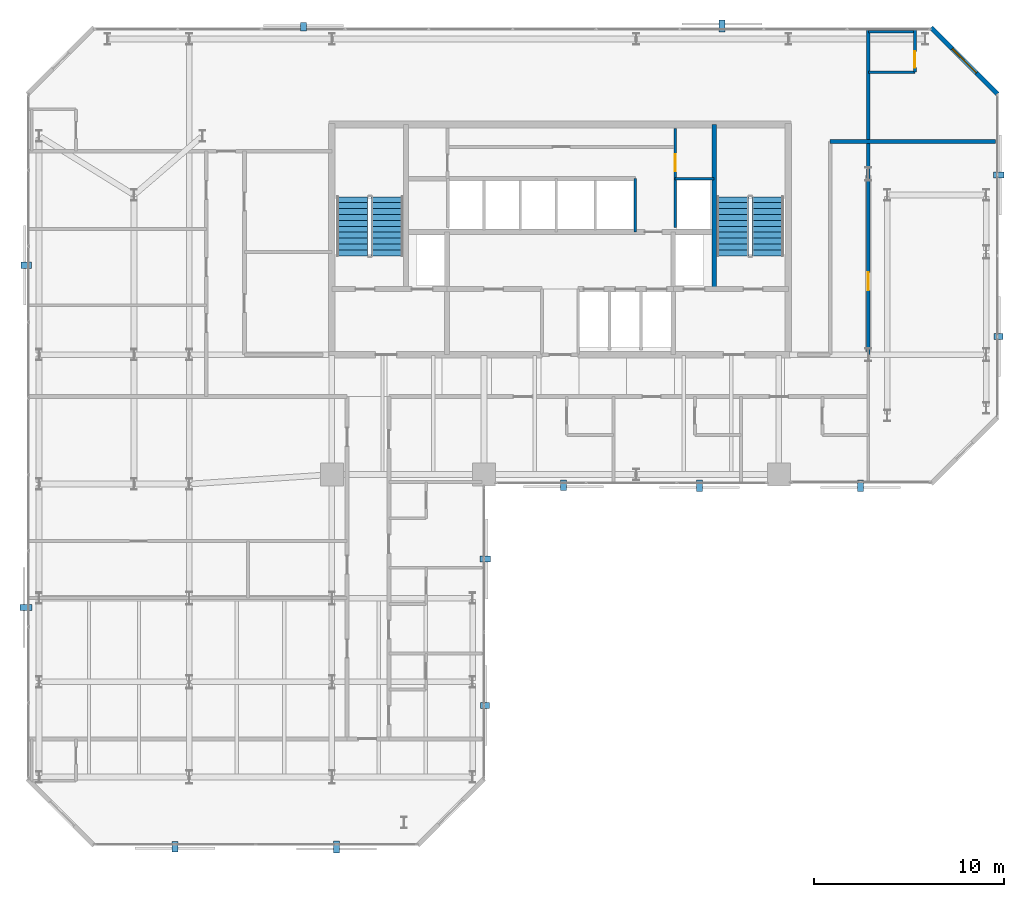
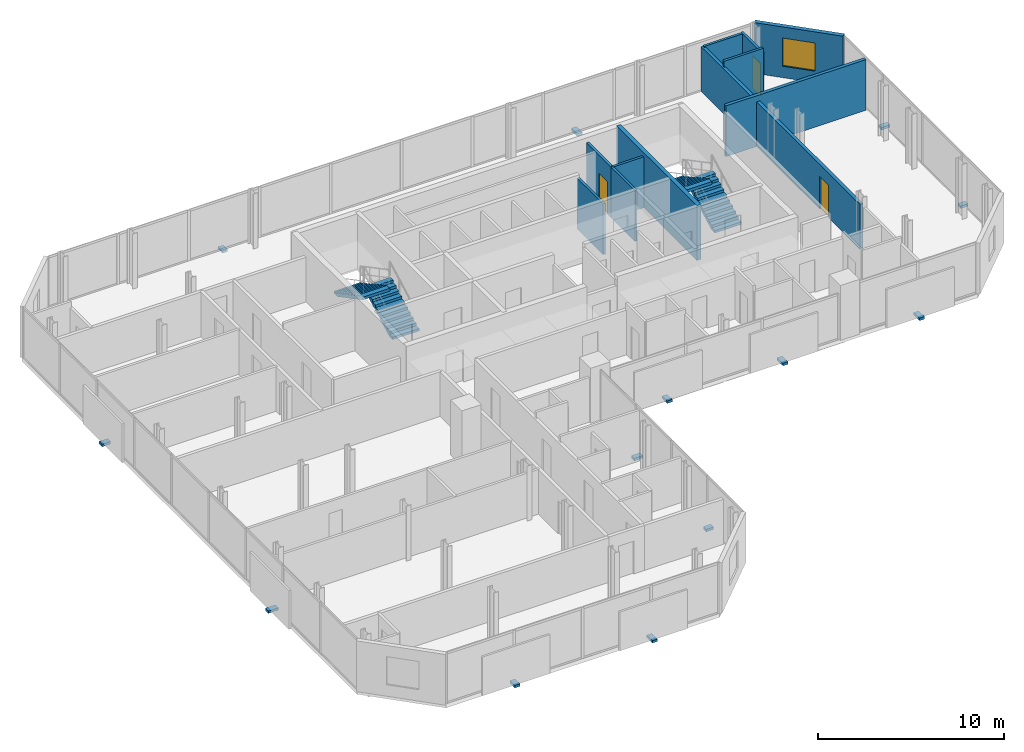
# One storey, part 30 of 32: 13 discrete accessories, 11 walls, 4 stair flights, 3 doors, 1 window, 4 openings, 2 elements without a shape of their own.
"""IFC4 building model written with IfcOpenShell, lengths in metres."""

from ifc_helpers import new_model, si_unit, direction, frame, frame_2d, origin, origin_2d, place, context, subcontext, project, spatial, polyline, rectangle, outline, extrude, material, layer, layer_set, type_object, element, fill, aggregate, save


model = new_model("IFC4")

# Units and contexts
model_context = context("Model", 3, precision=1e-05, world=origin(), true_north=direction((0.0, 1.0)))
body_context = subcontext(model_context, "Body", "Model", "MODEL_VIEW")
ifc_project = project(units=[si_unit("LENGTHUNIT", "METRE"), si_unit("AREAUNIT", "SQUARE_METRE"), si_unit("VOLUMEUNIT", "CUBIC_METRE"), si_unit("PLANEANGLEUNIT", "RADIAN"), si_unit("MASSUNIT", "GRAM", prefix="KILO")], contexts=[model_context])

# Site, building, storey
site_placement = place(None, origin())
site = spatial("IfcSite", under=ifc_project, at=site_placement, CompositionType="ELEMENT")
building_placement = place(site_placement, origin())
building = spatial("IfcBuilding", under=site, at=building_placement, Name="Catumbela Crestline Tower", CompositionType="ELEMENT")
storey_placement = place(building_placement, frame((0.0, 0.0, 136.8)))
storey = spatial("IfcBuildingStorey", under=building, at=storey_placement, Name="L35", CompositionType="ELEMENT", Elevation=136.8)

# Walls
ifc_material_1 = material(Name="Concrete C50/60", Category="concrete")
ifc_layer_1 = layer(ifc_material_1, 0.25, Name="Concrete C50/60")
ifc_layer_set_1 = layer_set([ifc_layer_1], Name="Concrete C50/60")
wall_type_1 = type_object("IfcWallType", Name="CW-250D", PredefinedType="SHEAR", material=ifc_layer_set_1)
wall_1_placement = place(storey_placement, frame((36.1, 34.25, 0.0), z_axis=(0.0, 0.0, 1.0), x_axis=(0.0, 1.0, 0.0)))
element("IfcWall", 1, at=wall_1_placement, inside=storey, type_object=wall_type_1, Name="L35 Structural Core Shear Wall EWEB", PredefinedType="SHEAR", context=body_context, shape_type="SweptSolid", body=[
    extrude(rectangle(XDim=8.65, YDim=0.25, at=frame_2d((4.325, 0.0))), origin(), (0.0, 0.0, 1.0), 3.6),
])
ifc_material_2 = material(Name="Acoustic gypsum and mineral-wool partition")
ifc_layer_2 = layer(ifc_material_2, 0.2, Name="Acoustic gypsum and mineral-wool partition")
ifc_layer_set_2 = layer_set([ifc_layer_2], Name="Acoustic gypsum and mineral-wool partition")
wall_type_2 = type_object("IfcWallType", Name="WC-200", PredefinedType="PARTITIONING", material=ifc_layer_set_2)
wall_2_placement = place(storey_placement, frame((42.2, 42.0, 0.0), z_axis=(0.0, 0.0, 1.0), x_axis=(1.0, 0.0, 0.0)))
element("IfcWall", 2, at=wall_2_placement, inside=storey, type_object=wall_type_2, Name="L35 Interior Partition PW-L35-Z2CW-E3", PredefinedType="PARTITIONING", context=body_context, shape_type="SweptSolid", body=[
    extrude(rectangle(XDim=8.7, YDim=0.2, at=frame_2d((4.35, 0.0))), origin(), (0.0, 0.0, 1.0), 3.33),
])

# Wall, opening, door
wall_3_placement = place(storey_placement, frame((44.2, 30.8, 0.0), z_axis=(0.0, 0.0, 1.0), x_axis=(0.0, 1.0, 0.0)))
wall_3 = element("IfcWall", 3, at=wall_3_placement, inside=storey, type_object=wall_type_2, Name="L35 Interior Partition PW-L35-SE1-ENT", PredefinedType="PARTITIONING", context=body_context, shape_type="SweptSolid", body=[
    extrude(rectangle(XDim=17.1, YDim=0.2, at=frame_2d((8.55, 0.0))), origin(), (0.0, 0.0, 1.0), 2.93),
])
opening_1_placement = place(wall_3_placement, frame((3.3825, 0.0, 0.0)))
opening_1 = element("IfcOpeningElement", 4, at=opening_1_placement, cuts=wall_3, Name="Opening DF6-095", PredefinedType="OPENING", context=body_context, shape_type="SweptSolid", body=[
    extrude(rectangle(XDim=0.95, YDim=2.15, at=frame_2d((0.475, 1.075))), frame((0.0, 0.11, 0.0), z_axis=(0.0, -1.0, 0.0), x_axis=(1.0, 0.0, 0.0)), (0.0, 0.0, 1.0), 0.22),
])
ifc_material_3 = material(Name="Aluminium alloy AW-6060-T66", Category="aluminium")
door_type_1 = type_object("IfcDoorType", Name="DF6-095", OperationType="NOTDEFINED", PredefinedType="DOOR", material=ifc_material_3)
door_1_placement = place(opening_1_placement, origin())
door_1 = element("IfcDoor", 5, at=door_1_placement, inside=storey, type_object=door_type_1, Name="L35 Interior Door DR-L35-SE1-ENT", OperationType="SINGLE_SWING_RIGHT", OverallHeight=2.15, OverallWidth=0.95, PredefinedType="DOOR", context=body_context, shape_type="SweptSolid", body=[
    extrude(rectangle(XDim=0.95, YDim=2.15, at=frame_2d((0.475, 1.075))), frame((0.0, 0.025, 0.0), z_axis=(0.0, -1.0, 0.0), x_axis=(1.0, 0.0, 0.0)), (0.0, 0.0, 1.0), 0.05),
])
fill(opening_1, door_1)

# Wall, opening, window
ifc_material_4 = material(Name="Angolan grey-ochre granite", Category="masonry")
ifc_layer_3 = layer(ifc_material_4, 0.25, Name="Angolan grey-ochre granite")
ifc_layer_set_3 = layer_set([ifc_layer_3], Name="Angolan grey-ochre granite")
wall_type_3 = type_object("IfcWallType", Name="WE-250", PredefinedType="STANDARD", material=ifc_layer_set_3)
wall_4_placement = place(storey_placement, frame((51.0, 44.5, 0.0), z_axis=(0.0, 0.0, 1.0), x_axis=(-0.707106781187, 0.707106781187, 0.0)))
wall_4 = element("IfcWall", 6, at=wall_4_placement, inside=storey, type_object=wall_type_3, Name="L35 Granite Punched Window Wall 6-1", PredefinedType="STANDARD", context=body_context, shape_type="SweptSolid", body=[
    extrude(rectangle(XDim=4.9497, YDim=0.25, at=frame_2d((2.4748, 0.0))), origin(), (0.0, 0.0, 1.0), 3.33),
])
opening_2_placement = place(wall_4_placement, frame((1.5749, 0.0, 0.75)))
opening_2 = element("IfcOpeningElement", 7, at=opening_2_placement, cuts=wall_4, Name="Opening WN-01", PredefinedType="OPENING", context=body_context, shape_type="SweptSolid", body=[
    extrude(rectangle(XDim=1.8, YDim=1.85, at=frame_2d((0.9, 0.925))), frame((0.0, 0.135, 0.0), z_axis=(0.0, -1.0, 0.0), x_axis=(1.0, 0.0, 0.0)), (0.0, 0.0, 1.0), 0.27),
])
ifc_material_5 = material(Name="Low-E laminated solar-control double glazing", Category="glass")
window_type = type_object("IfcWindowType", Name="WF-1800", PartitioningType="SINGLE_PANEL", PredefinedType="WINDOW", material=ifc_material_5)
window_placement = place(opening_2_placement, origin())
window = element("IfcWindow", 8, at=window_placement, inside=storey, type_object=window_type, Name="L35 Facade Vision Window 197", OverallHeight=1.85, OverallWidth=1.8, PartitioningType="SINGLE_PANEL", PredefinedType="WINDOW", context=body_context, shape_type="SweptSolid", body=[
    extrude(rectangle(XDim=1.8, YDim=1.85, at=frame_2d((0.9, 0.925))), frame((0.0, 0.03, 0.0), z_axis=(0.0, -1.0, 0.0), x_axis=(1.0, 0.0, 0.0)), (0.0, 0.0, 1.0), 0.06),
])
fill(opening_2, window)

# Wall
ifc_layer_4 = layer(ifc_material_2, 0.15, Name="Acoustic gypsum and mineral-wool partition")
ifc_layer_set_4 = layer_set([ifc_layer_4], Name="Acoustic gypsum and mineral-wool partition")
wall_type_4 = type_object("IfcWallType", Name="WP-150", PredefinedType="PARTITIONING", material=ifc_layer_set_4)
wall_5_placement = place(storey_placement, frame((34.05, 40.05, 0.0), z_axis=(0.0, 0.0, 1.0), x_axis=(1.0, 0.0, 0.0)))
element("IfcWall", 9, at=wall_5_placement, inside=storey, type_object=wall_type_4, Name="L35 Interior Partition PW-L35-CR-ES", PredefinedType="PARTITIONING", context=body_context, shape_type="SweptSolid", body=[
    extrude(rectangle(XDim=2.05, YDim=0.15, at=frame_2d((1.025, 0.0))), origin(), (0.0, 0.0, 1.0), 3.33),
])

# Wall, opening, door
wall_6_placement = place(storey_placement, frame((34.05, 40.05, 0.0), z_axis=(0.0, 0.0, 1.0), x_axis=(0.0, 1.0, 0.0)))
wall_6 = element("IfcWall", 10, at=wall_6_placement, inside=storey, type_object=wall_type_4, Name="L35 Interior Partition PW-L35-CR-EW", PredefinedType="PARTITIONING", context=body_context, shape_type="SweptSolid", body=[
    extrude(rectangle(XDim=2.63, YDim=0.15, at=frame_2d((1.315, 0.0))), origin(), (0.0, 0.0, 1.0), 3.33),
])
opening_3_placement = place(wall_6_placement, frame((0.385, 0.0, 0.0)))
opening_3 = element("IfcOpeningElement", 11, at=opening_3_placement, cuts=wall_6, Name="Opening DF9-090", PredefinedType="OPENING", context=body_context, shape_type="SweptSolid", body=[
    extrude(rectangle(XDim=0.9, YDim=2.15, at=frame_2d((0.45, 1.075))), frame((0.0, 0.085, 0.0), z_axis=(0.0, -1.0, 0.0), x_axis=(1.0, 0.0, 0.0)), (0.0, 0.0, 1.0), 0.17),
])
ifc_material_6 = material(Name="Stainless steel EN 1.4401", Category="steel")
door_type_2 = type_object("IfcDoorType", Name="DF9-090", OperationType="NOTDEFINED", PredefinedType="DOOR", material=ifc_material_6)
door_2_placement = place(opening_3_placement, origin())
door_2 = element("IfcDoor", 12, at=door_2_placement, inside=storey, type_object=door_type_2, Name="L35 Interior Door DR-L35-CREAST", OperationType="SINGLE_SWING_RIGHT", OverallHeight=2.15, OverallWidth=0.9, PredefinedType="DOOR", context=body_context, shape_type="SweptSolid", body=[
    extrude(rectangle(XDim=0.9, YDim=2.15, at=frame_2d((0.45, 1.075))), frame((0.0, 0.025, 0.0), z_axis=(0.0, -1.0, 0.0), x_axis=(1.0, 0.0, 0.0)), (0.0, 0.0, 1.0), 0.05),
])
fill(opening_3, door_2)

# Wall
wall_7_placement = place(storey_placement, frame((44.2, 45.65, 0.0), z_axis=(0.0, 0.0, 1.0), x_axis=(1.0, 0.0, 0.0)))
element("IfcWall", 13, at=wall_7_placement, inside=storey, type_object=wall_type_4, Name="L35 Interior Partition PW-L35-SE1-BSW", PredefinedType="PARTITIONING", context=body_context, shape_type="SweptSolid", body=[
    extrude(rectangle(XDim=2.45, YDim=0.15, at=frame_2d((1.225, 0.0))), origin(), (0.0, 0.0, 1.0), 3.33),
])

# Wall, opening, door
wall_8_placement = place(storey_placement, frame((46.65, 45.65, 0.0), z_axis=(0.0, 0.0, 1.0), x_axis=(0.0, 1.0, 0.0)))
wall_8 = element("IfcWall", 14, at=wall_8_placement, inside=storey, type_object=wall_type_4, Name="L35 Interior Partition PW-L35-SE1-BEW", PredefinedType="PARTITIONING", context=body_context, shape_type="SweptSolid", body=[
    extrude(rectangle(XDim=2.25, YDim=0.15, at=frame_2d((1.125, 0.0))), origin(), (0.0, 0.0, 1.0), 3.01),
])
opening_4_placement = place(wall_8_placement, frame((0.24, 0.0, 0.0)))
opening_4 = element("IfcOpeningElement", 15, at=opening_4_placement, cuts=wall_8, Name="Opening DI-085", PredefinedType="OPENING", context=body_context, shape_type="SweptSolid", body=[
    extrude(rectangle(XDim=0.85, YDim=2.15, at=frame_2d((0.425, 1.075))), frame((0.0, 0.085, 0.0), z_axis=(0.0, -1.0, 0.0), x_axis=(1.0, 0.0, 0.0)), (0.0, 0.0, 1.0), 0.17),
])
door_type_3 = type_object("IfcDoorType", Name="DI-085", OperationType="NOTDEFINED", PredefinedType="DOOR", material=ifc_material_3)
door_3_placement = place(opening_4_placement, origin())
door_3 = element("IfcDoor", 16, at=door_3_placement, inside=storey, type_object=door_type_3, Name="L35 Interior Door DR-L35-SE1-BTH", OperationType="SINGLE_SWING_LEFT", OverallHeight=2.15, OverallWidth=0.85, PredefinedType="DOOR", context=body_context, shape_type="SweptSolid", body=[
    extrude(rectangle(XDim=0.85, YDim=2.15, at=frame_2d((0.425, 1.075))), frame((0.0, 0.025, 0.0), z_axis=(0.0, -1.0, 0.0), x_axis=(1.0, 0.0, 0.0)), (0.0, 0.0, 1.0), 0.05),
])
fill(opening_4, door_3)

# Walls
wall_9_placement = place(storey_placement, frame((44.2, 47.78, 0.0), z_axis=(0.0, 0.0, 1.0), x_axis=(1.0, 0.0, 0.0)))
element("IfcWall", 17, at=wall_9_placement, inside=storey, type_object=wall_type_4, Name="L35 Interior Partition PW-L35-SE1-BCL-2", PredefinedType="PARTITIONING", context=body_context, shape_type="SweptSolid", body=[
    extrude(rectangle(XDim=2.45, YDim=0.15, at=frame_2d((1.225, 0.0))), origin(), (0.0, 0.0, 1.0), 3.01),
])
ifc_layer_5 = layer(ifc_material_2, 0.15, Name="Acoustic gypsum and mineral-wool partition")
ifc_layer_set_5 = layer_set([ifc_layer_5], Name="Acoustic gypsum and mineral-wool partition")
wall_type_5 = type_object("IfcWallType", Name="WS-150", PredefinedType="PLUMBINGWALL", material=ifc_layer_set_5)
wall_10_placement = place(storey_placement, frame((31.95, 37.25, 0.0), z_axis=(0.0, 0.0, 1.0), x_axis=(0.0, 1.0, 0.0)))
element("IfcWall", 18, at=wall_10_placement, inside=storey, type_object=wall_type_5, Name="L35 Interior Partition PW-L35-SHEX2E", PredefinedType="PLUMBINGWALL", context=body_context, shape_type="SweptSolid", body=[
    extrude(rectangle(XDim=2.8, YDim=0.15, at=frame_2d((1.4, 0.0))), origin(), (0.0, 0.0, 1.0), 3.33),
])
wall_11_placement = place(storey_placement, frame((34.05, 37.4734, 0.0), z_axis=(0.0, 0.0, 1.0), x_axis=(0.0, 1.0, 0.0)))
element("IfcWall", 19, at=wall_11_placement, inside=storey, type_object=wall_type_5, Name="L35 Interior Partition PW-L35-RISW", PredefinedType="PLUMBINGWALL", context=body_context, shape_type="SweptSolid", body=[
    extrude(rectangle(XDim=2.5766, YDim=0.15, at=frame_2d((1.2883, 0.0))), origin(), (0.0, 0.0, 1.0), 3.33),
])

# Stair, stair flights
ifc_material_7 = material(Name="Concrete C45/55", Category="concrete")
stair_type = type_object("IfcStairType", Name="ST-DLG", PredefinedType="HALF_TURN_STAIR", material=ifc_material_7)
stair_1_placement = place(storey_placement, origin())
stair_1 = element("IfcStair", 20, at=stair_1_placement, inside=storey, type_object=stair_type, Name="L35 West Core Pressurised Exit Stair ST-01", PredefinedType="HALF_TURN_STAIR")
stair_flight_type = type_object("IfcStairFlightType", Name="SF-1636", PredefinedType="STRAIGHT", material=ifc_material_7)
stair_flight_1_placement = place(storey_placement, frame((18.92, 36.0, 0.0), z_axis=(0.0, 0.0, 1.0), x_axis=(0.0, 1.0, 0.0)))
stair_flight_1 = element("IfcStairFlight", 21, at=stair_flight_1_placement, type_object=stair_flight_type, Name="ST-01 flight 1", NumberOfRisers=11, NumberOfTreads=10, PredefinedType="STRAIGHT", RiserHeight=0.163636364, TreadLength=0.31, context=body_context, shape_type="SweptSolid", body=[
    extrude(outline(polyline([(0.0, 0.0), (0.0, 0.1636), (0.31, 0.1636), (0.31, 0.3273), (0.62, 0.3273), (0.62, 0.4909), (0.93, 0.4909), (0.93, 0.6545), (1.24, 0.6545), (1.24, 0.8182), (1.55, 0.8182), (1.55, 0.9818), (1.86, 0.9818), (1.86, 1.1455), (2.17, 1.1455), (2.17, 1.3091), (2.48, 1.3091), (2.48, 1.4727), (2.79, 1.4727), (2.79, 1.6364), (3.1, 1.6364), (3.1, 1.8), (3.1, 1.4554), (0.3427, 0.0), (0.0, 0.0)])), frame((0.0, 0.83, 0.0), z_axis=(0.0, -1.0, 0.0), x_axis=(1.0, 0.0, 0.0)), (0.0, 0.0, 1.0), 1.66),
])
stair_flight_2_placement = place(storey_placement, frame((17.08, 39.1, 1.8), z_axis=(0.0, 0.0, 1.0), x_axis=(0.0, -1.0, 0.0)))
stair_flight_2 = element("IfcStairFlight", 22, at=stair_flight_2_placement, type_object=stair_flight_type, Name="ST-01 flight 2", NumberOfRisers=11, NumberOfTreads=10, PredefinedType="STRAIGHT", RiserHeight=0.163636364, TreadLength=0.31, context=body_context, shape_type="SweptSolid", body=[
    extrude(outline(polyline([(0.0, 0.0), (0.0, 0.1636), (0.31, 0.1636), (0.31, 0.3273), (0.62, 0.3273), (0.62, 0.4909), (0.93, 0.4909), (0.93, 0.6545), (1.24, 0.6545), (1.24, 0.8182), (1.55, 0.8182), (1.55, 0.9818), (1.86, 0.9818), (1.86, 1.1455), (2.17, 1.1455), (2.17, 1.3091), (2.48, 1.3091), (2.48, 1.4727), (2.79, 1.4727), (2.79, 1.6364), (3.1, 1.6364), (3.1, 1.8), (3.1, 1.4554), (0.3427, 0.0), (0.0, 0.0)])), frame((0.0, 0.83, 0.0), z_axis=(0.0, -1.0, 0.0), x_axis=(1.0, 0.0, 0.0)), (0.0, 0.0, 1.0), 1.66),
])
aggregate(stair_1, [stair_flight_1, stair_flight_2])

stair_2_placement = place(storey_placement, origin())
stair_2 = element("IfcStair", 23, at=stair_2_placement, inside=storey, type_object=stair_type, Name="L35 East Core Pressurised Exit Stair ST-02", PredefinedType="HALF_TURN_STAIR")
stair_flight_3_placement = place(storey_placement, frame((38.92, 36.0, 0.0), z_axis=(0.0, 0.0, 1.0), x_axis=(0.0, 1.0, 0.0)))
stair_flight_3 = element("IfcStairFlight", 24, at=stair_flight_3_placement, type_object=stair_flight_type, Name="ST-02 flight 1", NumberOfRisers=11, NumberOfTreads=10, PredefinedType="STRAIGHT", RiserHeight=0.163636364, TreadLength=0.31, context=body_context, shape_type="SweptSolid", body=[
    extrude(outline(polyline([(0.0, 0.0), (0.0, 0.1636), (0.31, 0.1636), (0.31, 0.3273), (0.62, 0.3273), (0.62, 0.4909), (0.93, 0.4909), (0.93, 0.6545), (1.24, 0.6545), (1.24, 0.8182), (1.55, 0.8182), (1.55, 0.9818), (1.86, 0.9818), (1.86, 1.1455), (2.17, 1.1455), (2.17, 1.3091), (2.48, 1.3091), (2.48, 1.4727), (2.79, 1.4727), (2.79, 1.6364), (3.1, 1.6364), (3.1, 1.8), (3.1, 1.4554), (0.3427, 0.0), (0.0, 0.0)])), frame((0.0, 0.83, 0.0), z_axis=(0.0, -1.0, 0.0), x_axis=(1.0, 0.0, 0.0)), (0.0, 0.0, 1.0), 1.66),
])
stair_flight_4_placement = place(storey_placement, frame((37.08, 39.1, 1.8), z_axis=(0.0, 0.0, 1.0), x_axis=(0.0, -1.0, 0.0)))
stair_flight_4 = element("IfcStairFlight", 25, at=stair_flight_4_placement, type_object=stair_flight_type, Name="ST-02 flight 2", NumberOfRisers=11, NumberOfTreads=10, PredefinedType="STRAIGHT", RiserHeight=0.163636364, TreadLength=0.31, context=body_context, shape_type="SweptSolid", body=[
    extrude(outline(polyline([(0.0, 0.0), (0.0, 0.1636), (0.31, 0.1636), (0.31, 0.3273), (0.62, 0.3273), (0.62, 0.4909), (0.93, 0.4909), (0.93, 0.6545), (1.24, 0.6545), (1.24, 0.8182), (1.55, 0.8182), (1.55, 0.9818), (1.86, 0.9818), (1.86, 1.1455), (2.17, 1.1455), (2.17, 1.3091), (2.48, 1.3091), (2.48, 1.4727), (2.79, 1.4727), (2.79, 1.6364), (3.1, 1.6364), (3.1, 1.8), (3.1, 1.4554), (0.3427, 0.0), (0.0, 0.0)])), frame((0.0, 0.83, 0.0), z_axis=(0.0, -1.0, 0.0), x_axis=(1.0, 0.0, 0.0)), (0.0, 0.0, 1.0), 1.66),
])
aggregate(stair_2, [stair_flight_3, stair_flight_4])

# Discrete accessories
discrete_accessory_type = type_object("IfcDiscreteAccessoryType", Name="BK-SS1", PredefinedType="BRACKET", material=ifc_material_6)
discrete_accessory_1_placement = place(storey_placement, frame((7.75, 4.935, -0.18), z_axis=(0.0, 0.0, 1.0), x_axis=(1.0, 0.0, 0.0)))
element("IfcDiscreteAccessory", 26, at=discrete_accessory_1_placement, inside=storey, type_object=discrete_accessory_type, Name="L35 Solar Screen Stainless Bracket 380", PredefinedType="BRACKET", context=body_context, shape_type="SweptSolid", body=[
    extrude(rectangle(XDim=0.32, YDim=0.54, at=origin_2d()), origin(), (0.0, 0.0, 1.0), 0.16),
])
discrete_accessory_2_placement = place(storey_placement, frame((16.25, 4.915, -0.18), z_axis=(0.0, 0.0, 1.0), x_axis=(1.0, 0.0, 0.0)))
element("IfcDiscreteAccessory", 27, at=discrete_accessory_2_placement, inside=storey, type_object=discrete_accessory_type, Name="L35 Solar Screen Stainless Bracket 381", PredefinedType="BRACKET", context=body_context, shape_type="SweptSolid", body=[
    extrude(rectangle(XDim=0.32, YDim=0.62, at=origin_2d()), origin(), (0.0, 0.0, 1.0), 0.16),
])
discrete_accessory_3_placement = place(storey_placement, frame((24.045, 12.35, -0.18), z_axis=(0.0, 0.0, 1.0), x_axis=(0.0, 1.0, 0.0)))
element("IfcDiscreteAccessory", 28, at=discrete_accessory_3_placement, inside=storey, type_object=discrete_accessory_type, Name="L35 Solar Screen Stainless Bracket 382", PredefinedType="BRACKET", context=body_context, shape_type="SweptSolid", body=[
    extrude(rectangle(XDim=0.32, YDim=0.46, at=origin_2d()), origin(), (0.0, 0.0, 1.0), 0.16),
])
for number, where, z_axis, x_axis, name in (
    (29, (24.065, 20.05, -0.18), (0.0, 0.0, 1.0), (0.0, 1.0, 0.0), "L35 Solar Screen Stainless Bracket 383"),
    (30, (28.175, 23.935, -0.18), (0.0, 0.0, 1.0), (1.0, 0.0, 0.0), "L35 Solar Screen Stainless Bracket 384"),
):
    element("IfcDiscreteAccessory", number, at=place(storey_placement, frame(where, z_axis=z_axis, x_axis=x_axis)), inside=storey, type_object=discrete_accessory_type, Name=name, PredefinedType="BRACKET", context=body_context, shape_type="SweptSolid", body=[
        extrude(rectangle(XDim=0.32, YDim=0.54, at=origin_2d()), origin(), (0.0, 0.0, 1.0), 0.16),
    ])
for number, where, z_axis, x_axis, name in (
    (31, (35.325, 23.915, -0.18), (0.0, 0.0, 1.0), (1.0, 0.0, 0.0), "L35 Solar Screen Stainless Bracket 385"),
    (32, (43.8, 23.915, -0.18), (0.0, 0.0, 1.0), (1.0, 0.0, 0.0), "L35 Solar Screen Stainless Bracket 386"),
):
    element("IfcDiscreteAccessory", number, at=place(storey_placement, frame(where, z_axis=z_axis, x_axis=x_axis)), inside=storey, type_object=discrete_accessory_type, Name=name, PredefinedType="BRACKET", context=body_context, shape_type="SweptSolid", body=[
        extrude(rectangle(XDim=0.32, YDim=0.62, at=origin_2d()), origin(), (0.0, 0.0, 1.0), 0.16),
    ])
discrete_accessory_4_placement = place(storey_placement, frame((51.045, 31.75, -0.18), z_axis=(0.0, 0.0, 1.0), x_axis=(0.0, 1.0, 0.0)))
element("IfcDiscreteAccessory", 33, at=discrete_accessory_4_placement, inside=storey, type_object=discrete_accessory_type, Name="L35 Solar Screen Stainless Bracket 387", PredefinedType="BRACKET", context=body_context, shape_type="SweptSolid", body=[
    extrude(rectangle(XDim=0.32, YDim=0.46, at=origin_2d()), origin(), (0.0, 0.0, 1.0), 0.16),
])
discrete_accessory_5_placement = place(storey_placement, frame((51.065, 40.25, -0.18), z_axis=(0.0, 0.0, 1.0), x_axis=(0.0, 1.0, 0.0)))
element("IfcDiscreteAccessory", 34, at=discrete_accessory_5_placement, inside=storey, type_object=discrete_accessory_type, Name="L35 Solar Screen Stainless Bracket 388", PredefinedType="BRACKET", context=body_context, shape_type="SweptSolid", body=[
    extrude(rectangle(XDim=0.32, YDim=0.54, at=origin_2d()), origin(), (0.0, 0.0, 1.0), 0.16),
])
discrete_accessory_6_placement = place(storey_placement, frame((36.5, 48.085, -0.18), z_axis=(0.0, 0.0, 1.0), x_axis=(-1.0, 0.0, 0.0)))
element("IfcDiscreteAccessory", 35, at=discrete_accessory_6_placement, inside=storey, type_object=discrete_accessory_type, Name="L35 Solar Screen Stainless Bracket 389", PredefinedType="BRACKET", context=body_context, shape_type="SweptSolid", body=[
    extrude(rectangle(XDim=0.32, YDim=0.62, at=origin_2d()), origin(), (0.0, 0.0, 1.0), 0.16),
])
discrete_accessory_7_placement = place(storey_placement, frame((14.5, 48.045, -0.18), z_axis=(0.0, 0.0, 1.0), x_axis=(-1.0, 0.0, 0.0)))
element("IfcDiscreteAccessory", 36, at=discrete_accessory_7_placement, inside=storey, type_object=discrete_accessory_type, Name="L35 Solar Screen Stainless Bracket 390", PredefinedType="BRACKET", context=body_context, shape_type="SweptSolid", body=[
    extrude(rectangle(XDim=0.32, YDim=0.46, at=origin_2d()), origin(), (0.0, 0.0, 1.0), 0.16),
])
discrete_accessory_8_placement = place(storey_placement, frame((-0.065, 35.5, -0.18), z_axis=(0.0, 0.0, 1.0), x_axis=(0.0, -1.0, 0.0)))
element("IfcDiscreteAccessory", 37, at=discrete_accessory_8_placement, inside=storey, type_object=discrete_accessory_type, Name="L35 Solar Screen Stainless Bracket 391", PredefinedType="BRACKET", context=body_context, shape_type="SweptSolid", body=[
    extrude(rectangle(XDim=0.32, YDim=0.54, at=origin_2d()), origin(), (0.0, 0.0, 1.0), 0.16),
])
discrete_accessory_9_placement = place(storey_placement, frame((-0.085, 17.5, -0.18), z_axis=(0.0, 0.0, 1.0), x_axis=(0.0, -1.0, 0.0)))
element("IfcDiscreteAccessory", 38, at=discrete_accessory_9_placement, inside=storey, type_object=discrete_accessory_type, Name="L35 Solar Screen Stainless Bracket 392", PredefinedType="BRACKET", context=body_context, shape_type="SweptSolid", body=[
    extrude(rectangle(XDim=0.32, YDim=0.62, at=origin_2d()), origin(), (0.0, 0.0, 1.0), 0.16),
])

save(model, "model.ifc")
